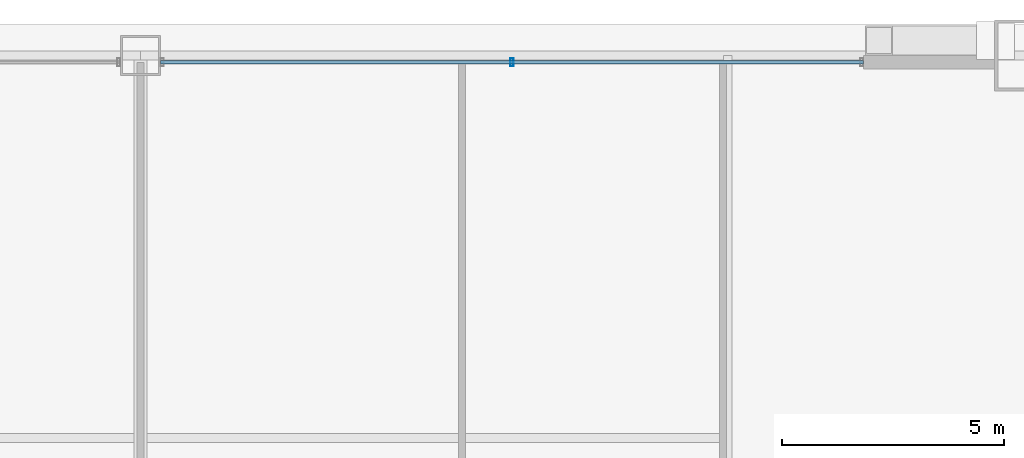
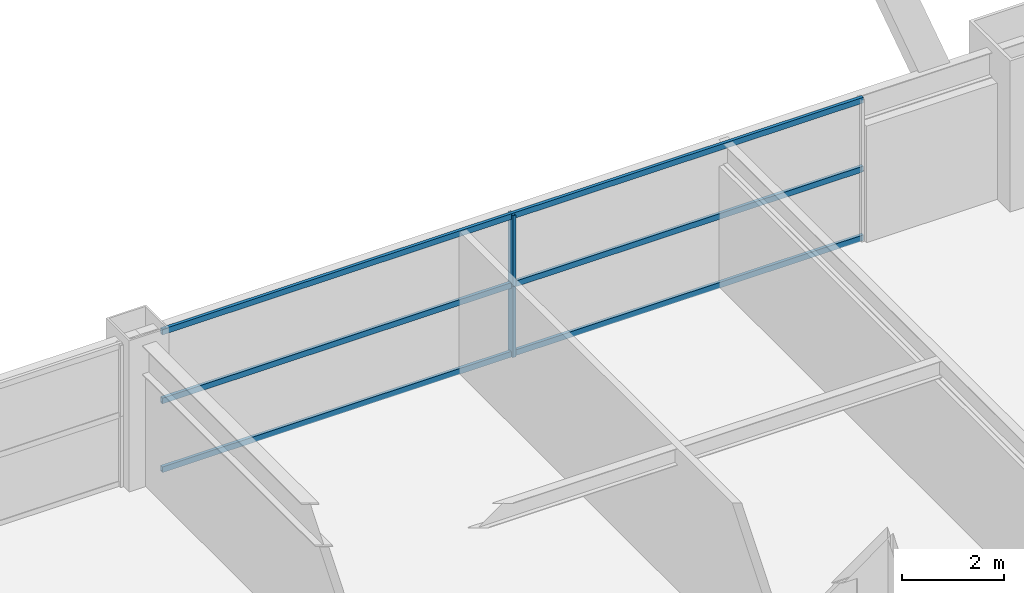
# One storey, part 34 of 43: 5 members, 1 element without a shape of its own.
"""IFC4 building model written with IfcOpenShell, lengths in metres."""

from ifc_helpers import new_model, si_unit, direction, frame, origin, origin_2d, place, context, subcontext, project, spatial, hollow_rectangle, extrude, source, transform, mapped, material, layer, layer_set, material_profile, profile_set, type_object, element, aggregate, save


model = new_model("IFC4")

# Units and contexts
model_context = context("Model", 3, precision=1e-05, world=origin(), true_north=direction((0.0, 1.0)))
body_context = subcontext(model_context, "Body", "Model", "MODEL_VIEW")
ifc_project = project(units=[si_unit("LENGTHUNIT", "METRE"), si_unit("AREAUNIT", "SQUARE_METRE"), si_unit("VOLUMEUNIT", "CUBIC_METRE"), si_unit("PLANEANGLEUNIT", "RADIAN"), si_unit("MASSUNIT", "GRAM", prefix="KILO"), si_unit("THERMODYNAMICTEMPERATUREUNIT", "KELVIN"), si_unit("POWERUNIT", "WATT")], contexts=[model_context])

# Site, building, storey
site_placement = place(None, origin())
site = spatial("IfcSite", under=ifc_project, at=site_placement, CompositionType="ELEMENT")
building_placement = place(site_placement, origin())
building = spatial("IfcBuilding", under=site, at=building_placement, Name="Yuzanri Waterfront Tower", CompositionType="ELEMENT")
storey_placement = place(building_placement, frame((0.0, 0.0, 159.60009765625)))
storey = spatial("IfcBuildingStorey", under=building, at=storey_placement, Name="L42", CompositionType="ELEMENT", Elevation=159.60009765625)

# Curtain wall, members
ifc_material_1 = material(Name="Anodized Architectural Bronze", Category="metal")
ifc_layer = layer(ifc_material_1, 0.159912109375)
ifc_layer_set = layer_set([ifc_layer], Name="Anodized Architectural Bronze")
curtain_wall_type = type_object("IfcCurtainWallType", Name="Anodized Bronze Hotel Upper-Tier Solar-Control Unitized Curtain Wall 7800", PredefinedType="NOTDEFINED", material=ifc_layer_set)
curtain_wall_placement = place(storey_placement, origin())
curtain_wall = element("IfcCurtainWall", 1, at=curtain_wall_placement, inside=storey, type_object=curtain_wall_type, Name="L42 Curtain Wall CW-L42-NR", PredefinedType="NOTDEFINED")
ifc_material_2 = material(Name="Anodized Architectural Bronze", Category="metal")
ifc_material_profile_1 = material_profile(ifc_material_2, hollow_rectangle(XDim=0.070068359375, YDim=0.179931640625, WallThickness=0.00390625, at=origin_2d()), Name="CWM 70x180")
ifc_profile_set_1 = profile_set([ifc_material_profile_1], Name="Anodized Architectural Bronze")
member_type_1 = type_object("IfcMemberType", Name="Anodized Bronze Standard Curtain-Wall Mullion 70x180", PredefinedType="MULLION", material=ifc_profile_set_1)
shared_shape_1 = source(origin(), body_context, "Body", "SweptSolid", [
    extrude(hollow_rectangle(XDim=0.070068359375, YDim=0.179931640625, WallThickness=0.00390625, at=origin_2d()), origin(), (0.0, 0.0, 1.0), 1.68798828125),
])
member_1_placement = place(storey_placement, frame((45.35009765625, 49.25, 0.0), z_axis=(0.0, 0.0, 1.0), x_axis=(1.0, 0.0, 0.0)))
member_1 = element("IfcMember", 2, at=member_1_placement, type_object=member_type_1, Name="CW-L42-NR Lower Mullion 01", PredefinedType="MULLION", context=body_context, shape_type="MappedRepresentation", body=[
    mapped(shared_shape_1, transform((0.0, 0.0, 0.0), scale=1.0)),
])
member_2_placement = place(storey_placement, frame((45.35009765625, 49.25, 1.69189453125), z_axis=(0.0, 0.0, 1.0), x_axis=(1.0, 0.0, 0.0)))
member_2 = element("IfcMember", 3, at=member_2_placement, type_object=member_type_1, Name="CW-L42-NR Upper Mullion 01", PredefinedType="MULLION", context=body_context, shape_type="MappedRepresentation", body=[
    mapped(shared_shape_1, transform((0.0, 0.0, 0.0), scale=1.0)),
])
ifc_material_3 = material(Name="Anodized Architectural Bronze", Category="metal")
ifc_material_profile_2 = material_profile(ifc_material_3, hollow_rectangle(XDim=0.070068359375, YDim=0.135009765625, WallThickness=0.00341796875, at=origin_2d()), Name="CWT 70x135")
ifc_profile_set_2 = profile_set([ifc_material_profile_2], Name="Anodized Architectural Bronze")
member_type_2 = type_object("IfcMemberType", Name="Anodized Bronze Standard Curtain-Wall Transom 70x135", PredefinedType="USERDEFINED", material=ifc_profile_set_2)
shared_shape_2 = source(origin(), body_context, "Body", "SweptSolid", [
    extrude(hollow_rectangle(XDim=0.070068359375, YDim=0.135009765625, WallThickness=0.00341796875, at=origin_2d()), origin(), (0.0, 0.0, 1.0), 15.800048828125),
])
member_3_placement = place(storey_placement, frame((37.449951171875, 49.25, 0.0498046875), z_axis=(1.0, 0.0, 0.0), x_axis=(0.0, 1.0, 0.0)))
member_3 = element("IfcMember", 4, at=member_3_placement, type_object=member_type_2, Name="CW-L42-NR Transom 1", ObjectType="TRANSOM", PredefinedType="USERDEFINED", context=body_context, shape_type="MappedRepresentation", body=[
    mapped(shared_shape_2, transform((0.0, 0.0, 0.0), scale=1.0)),
])
member_4_placement = place(storey_placement, frame((37.449951171875, 49.25, 1.68994140625), z_axis=(1.0, 0.0, 0.0), x_axis=(0.0, 1.0, 0.0)))
member_4 = element("IfcMember", 5, at=member_4_placement, type_object=member_type_2, Name="CW-L42-NR Transom 2", ObjectType="TRANSOM", PredefinedType="USERDEFINED", context=body_context, shape_type="MappedRepresentation", body=[
    mapped(shared_shape_2, transform((0.0, 0.0, 0.0), scale=1.0)),
])
member_5_placement = place(storey_placement, frame((37.449951171875, 49.25, 3.329833984375), z_axis=(1.0, 0.0, 0.0), x_axis=(0.0, 1.0, 0.0)))
member_5 = element("IfcMember", 6, at=member_5_placement, type_object=member_type_2, Name="CW-L42-NR Transom 3", ObjectType="TRANSOM", PredefinedType="USERDEFINED", context=body_context, shape_type="MappedRepresentation", body=[
    mapped(shared_shape_2, transform((0.0, 0.0, 0.0), scale=1.0)),
])
aggregate(curtain_wall, [member_1, member_2, member_3, member_4, member_5])

save(model, "model.ifc")
